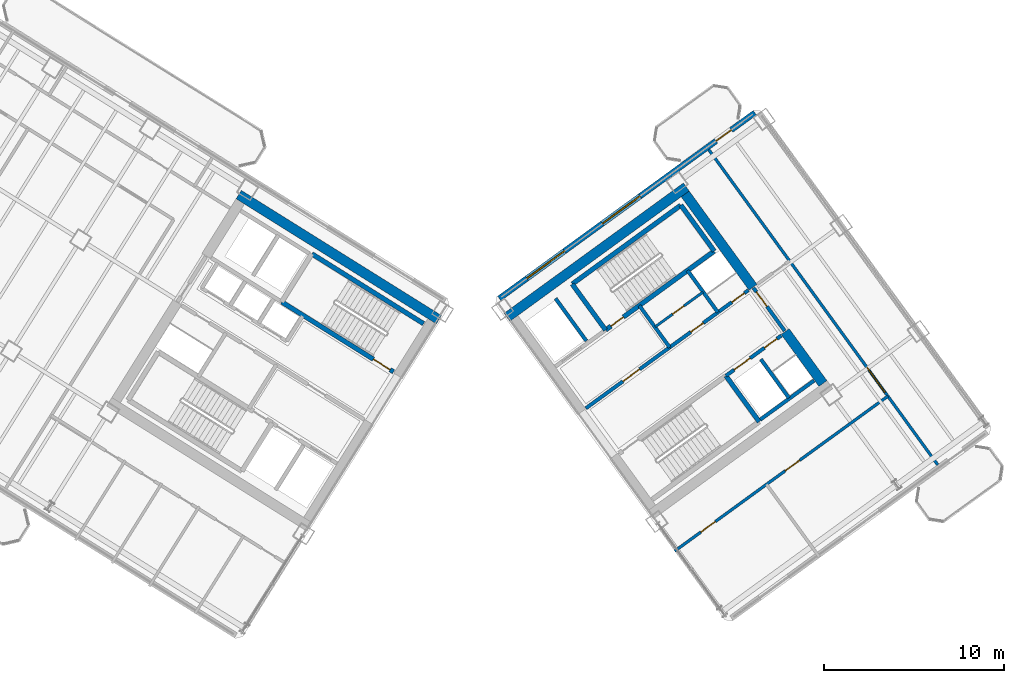
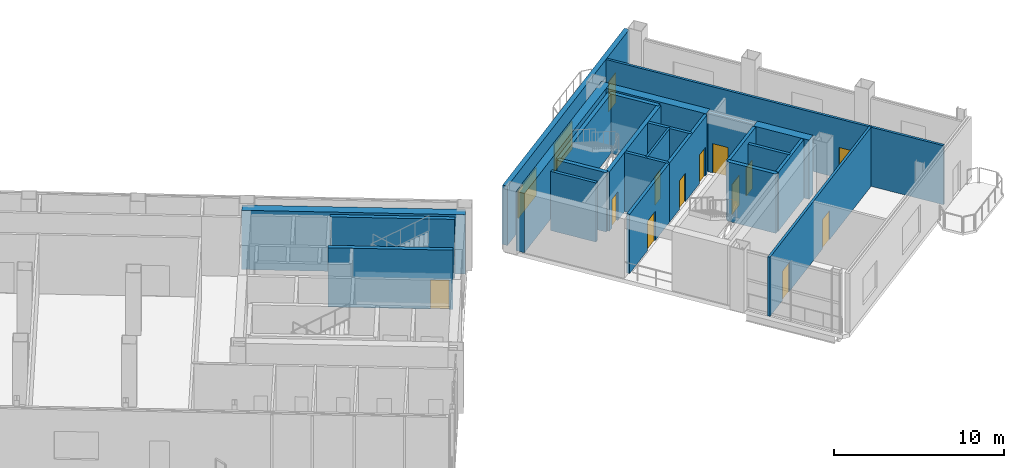
# One storey, part 12 of 18: 24 walls, 13 doors, 2 windows, 15 openings.
"""IFC4 building model written with IfcOpenShell, lengths in metres."""

from ifc_helpers import new_model, si_unit, direction, frame, frame_2d, origin, place, context, subcontext, project, spatial, rectangle, extrude, source, transform, mapped, material, layer, layer_set, type_object, element, fill, save


model = new_model("IFC4")

# Units and contexts
model_context = context("Model", 3, precision=1e-05, world=origin(), true_north=direction((0.0, 1.0)))
body_context = subcontext(model_context, "Body", "Model", "MODEL_VIEW")
ifc_project = project(units=[si_unit("LENGTHUNIT", "METRE"), si_unit("AREAUNIT", "SQUARE_METRE"), si_unit("VOLUMEUNIT", "CUBIC_METRE"), si_unit("PLANEANGLEUNIT", "RADIAN"), si_unit("MASSUNIT", "GRAM", prefix="KILO")], contexts=[model_context])

# Site, building, storey
site_placement = place(None, origin())
site = spatial("IfcSite", under=ifc_project, at=site_placement, CompositionType="ELEMENT")
building_placement = place(site_placement, origin())
building = spatial("IfcBuilding", under=site, at=building_placement, Name="Tlacorven Tower", CompositionType="ELEMENT")
storey_placement = place(building_placement, frame((0.0, 0.0, 136.199951171875)))
storey = spatial("IfcBuildingStorey", under=building, at=storey_placement, Name="L34", CompositionType="ELEMENT", Elevation=136.199951171875)

# Walls
ifc_material_1 = material(Name="Concrete C60/75", Category="concrete")
ifc_layer_1 = layer(ifc_material_1, 0.550048828125)
ifc_layer_set_1 = layer_set([ifc_layer_1], Name="Concrete C60/75")
wall_type_1 = type_object("IfcWallType", Name="WL-COR-550", PredefinedType="SHEAR", material=ifc_layer_set_1)
wall_1_placement = place(storey_placement, frame((40.572998046875, 24.010009765625, 0.0), z_axis=(0.0, 0.0, 1.0), x_axis=(-0.848047359947, 0.529920442413, 0.0)))
element("IfcWall", 1, at=wall_1_placement, inside=storey, type_object=wall_type_1, Name="L34 W core shear wall S1", PredefinedType="SHEAR", context=body_context, shape_type="SweptSolid", body=[
    extrude(rectangle(XDim=13.139892578125, YDim=0.550048828125, at=frame_2d((6.56982421875, 0.0))), origin(), (0.0, 0.0, 1.0), 4.25),
])
wall_2_placement = place(storey_placement, frame((44.364990234375, 24.142333984375, 0.0), z_axis=(0.0, 0.0, 1.0), x_axis=(0.809024304885, 0.587775190107, 0.0)))
element("IfcWall", 2, at=wall_2_placement, inside=storey, type_object=wall_type_1, Name="L34 E core shear wall S2", PredefinedType="SHEAR", context=body_context, shape_type="SweptSolid", body=[
    extrude(rectangle(XDim=12.340087890625, YDim=0.550048828125, at=frame_2d((6.169921875, 0.0))), origin(), (0.0, 0.0, 1.0), 4.25),
])
wall_3_placement = place(storey_placement, frame((61.9580078125, 20.453857421875, 0.0), z_axis=(0.0, 0.0, 1.0), x_axis=(-0.587802113096, 0.809004744015, 0.0)))
element("IfcWall", 3, at=wall_3_placement, inside=storey, type_object=wall_type_1, Name="L34 E core end wall E2.1", PredefinedType="SHEAR", context=body_context, shape_type="SweptSolid", body=[
    extrude(rectangle(XDim=3.574951171875, YDim=0.550048828125, at=frame_2d((1.78759765625, 0.0))), origin(), (0.0, 0.0, 1.0), 4.25),
])
wall_4_placement = place(storey_placement, frame((58.06396484375, 25.8134765625, 0.0), z_axis=(0.0, 0.0, 1.0), x_axis=(-0.587764933797, 0.809031756236, 0.0)))
element("IfcWall", 4, at=wall_4_placement, inside=storey, type_object=wall_type_1, Name="L34 E core end wall E2.2", PredefinedType="SHEAR", context=body_context, shape_type="SweptSolid", body=[
    extrude(rectangle(XDim=6.425048828125, YDim=0.550048828125, at=frame_2d((3.21240234375, 0.0))), origin(), (0.0, 0.0, 1.0), 4.25),
])

# Wall, opening, door
ifc_material_2 = material(Name="Gypsum plasterboard acoustic partition", Category="gypsum")
ifc_layer_2 = layer(ifc_material_2, 0.159912109375)
ifc_layer_set_2 = layer_set([ifc_layer_2], Name="Gypsum plasterboard acoustic partition")
wall_type_2 = type_object("IfcWallType", Name="WL-DEM-160", PredefinedType="PARTITIONING", material=ifc_layer_set_2)
wall_5_placement = place(storey_placement, frame((68.35302734375, 15.922119140625, 0.0), z_axis=(0.0, 0.0, 1.0), x_axis=(-0.587783631512, 0.809018171939, 0.0)))
wall_5 = element("IfcWall", 5, at=wall_5_placement, inside=storey, type_object=wall_type_2, Name="L34 partition 59", PredefinedType="PARTITIONING", context=body_context, shape_type="SweptSolid", body=[
    extrude(rectangle(XDim=21.699951171875, YDim=0.159912109375, at=frame_2d((10.85009765625, 0.0))), origin(), (0.0, 0.0, 1.0), 4.239990234375),
])
opening_1_placement = place(wall_5_placement, frame((5.0, 0.0, 0.0)))
opening_1 = element("IfcOpeningElement", 6, at=opening_1_placement, cuts=wall_5, Name="Opening D17", PredefinedType="OPENING", context=body_context, shape_type="SweptSolid", body=[
    extrude(rectangle(XDim=1.699951171875, YDim=2.199951171875, at=frame_2d((0.85009765625, 1.10009765625))), frame((0.0, 0.08984375, 0.0), z_axis=(0.0, -1.0, 0.0), x_axis=(1.0, 0.0, 0.0)), (0.0, 0.0, 1.0), 0.179931640625),
])
ifc_material_3 = material(Name="Fire-rated steel door assembly", Category="steel")
door_type_1 = type_object("IfcDoorType", Name="DR-COM-HALL-1700", OperationType="DOUBLE_DOOR_SINGLE_SWING", PredefinedType="DOOR", material=ifc_material_3)
shared_shape_1 = source(origin(), body_context, "Body", "SweptSolid", [
    extrude(rectangle(XDim=1.699951171875, YDim=2.199951171875, at=frame_2d((0.85009765625, 1.10009765625))), frame((0.0, 0.02490234375, 0.0), z_axis=(0.0, -1.0, 0.0), x_axis=(1.0, 0.0, 0.0)), (0.0, 0.0, 1.0), 0.050048828125),
])
door_1_placement = place(opening_1_placement, origin())
door_1 = element("IfcDoor", 7, at=door_1_placement, inside=storey, type_object=door_type_1, Name="L34 door 033", OperationType="DOUBLE_DOOR_SINGLE_SWING", OverallHeight=2.199951171875, OverallWidth=1.699951171875, PredefinedType="DOOR", context=body_context, shape_type="MappedRepresentation", body=[
    mapped(shared_shape_1, transform((0.0, 0.0, 0.0), scale=1.0)),
])
fill(opening_1, door_1)

# Wall, openings, doors
wall_6_placement = place(storey_placement, frame((53.70458984375, 11.1259765625, 0.0), z_axis=(0.0, 0.0, 1.0), x_axis=(0.809014504436, 0.587788679384, 0.0)))
wall_6 = element("IfcWall", 8, at=wall_6_placement, inside=storey, type_object=wall_type_2, Name="L34 partition 62", PredefinedType="PARTITIONING", context=body_context, shape_type="SweptSolid", body=[
    extrude(rectangle(XDim=14.669921875, YDim=0.159912109375, at=frame_2d((7.3349609375, 0.0))), origin(), (0.0, 0.0, 1.0), 4.239990234375),
])
opening_2_placement = place(wall_6_placement, frame((1.800048828125, 0.0, 0.0)))
opening_2 = element("IfcOpeningElement", 9, at=opening_2_placement, cuts=wall_6, Name="Opening D11", PredefinedType="OPENING", context=body_context, shape_type="SweptSolid", body=[
    extrude(rectangle(XDim=1.0, YDim=2.10009765625, at=frame_2d((0.5, 1.050048828125))), frame((0.0, 0.08984375, 0.0), z_axis=(0.0, -1.0, 0.0), x_axis=(1.0, 0.0, 0.0)), (0.0, 0.0, 1.0), 0.179931640625),
])
opening_3_placement = place(wall_6_placement, frame((7.60009765625, 0.0, 0.0)))
opening_3 = element("IfcOpeningElement", 10, at=opening_3_placement, cuts=wall_6, Name="Opening D11", PredefinedType="OPENING", context=body_context, shape_type="SweptSolid", body=[
    extrude(rectangle(XDim=1.0, YDim=2.10009765625, at=frame_2d((0.5, 1.050048828125))), frame((0.0, 0.08984375, 0.0), z_axis=(0.0, -1.0, 0.0), x_axis=(1.0, 0.0, 0.0)), (0.0, 0.0, 1.0), 0.179931640625),
])
door_type_2 = type_object("IfcDoorType", Name="DR-FLT-FD60-1000", OperationType="NOTDEFINED", PredefinedType="DOOR", material=ifc_material_3)
shared_shape_2 = source(origin(), body_context, "Body", "SweptSolid", [
    extrude(rectangle(XDim=1.0, YDim=2.10009765625, at=frame_2d((0.5, 1.050048828125))), frame((0.0, 0.02490234375, 0.0), z_axis=(0.0, -1.0, 0.0), x_axis=(1.0, 0.0, 0.0)), (0.0, 0.0, 1.0), 0.050048828125),
])
door_2_placement = place(opening_2_placement, origin())
door_2 = element("IfcDoor", 11, at=door_2_placement, inside=storey, type_object=door_type_2, Name="L34 door 034", OperationType="SINGLE_SWING_RIGHT", OverallHeight=2.10009765625, OverallWidth=1.0, PredefinedType="DOOR", context=body_context, shape_type="MappedRepresentation", body=[
    mapped(shared_shape_2, transform((0.0, 0.0, 0.0), scale=1.0)),
])
fill(opening_2, door_2)
door_3_placement = place(opening_3_placement, origin())
door_3 = element("IfcDoor", 12, at=door_3_placement, inside=storey, type_object=door_type_2, Name="L34 door 035", OperationType="SINGLE_SWING_LEFT", OverallHeight=2.10009765625, OverallWidth=1.0, PredefinedType="DOOR", context=body_context, shape_type="MappedRepresentation", body=[
    mapped(shared_shape_2, transform((0.0, 0.0, 0.0), scale=1.0)),
])
fill(opening_3, door_3)

# Wall, openings, door, windows
ifc_material_4 = material(Name="Precast concrete C45/55", Category="concrete")
ifc_layer_3 = layer(ifc_material_4, 0.320068359375)
ifc_layer_set_3 = layer_set([ifc_layer_3], Name="Precast concrete C45/55")
wall_type_3 = type_object("IfcWallType", Name="WL-EXT-320", PredefinedType="STANDARD", material=ifc_layer_set_3)
wall_7_placement = place(storey_placement, frame((43.93798828125, 25.191650390625, 0.0), z_axis=(0.0, 0.0, 1.0), x_axis=(0.809016324578, 0.587786174187, 0.0)))
wall_7 = element("IfcWall", 13, at=wall_7_placement, inside=storey, type_object=wall_type_3, Name="L34 Masonry-Frame Recessed Facade Wall 4", PredefinedType="STANDARD", context=body_context, shape_type="SweptSolid", body=[
    extrude(rectangle(XDim=17.58740234375, YDim=0.320068359375, at=frame_2d((8.793701171875, 0.0))), origin(), (0.0, 0.0, 1.0), 4.25),
])
opening_4_placement = place(wall_7_placement, frame((14.913818359375, 0.0, 0.0)))
opening_4 = element("IfcOpeningElement", 14, at=opening_4_placement, cuts=wall_7, Name="Opening D06", PredefinedType="OPENING", context=body_context, shape_type="SweptSolid", body=[
    extrude(rectangle(XDim=1.050048828125, YDim=2.14990234375, at=frame_2d((0.52490234375, 1.074951171875))), frame((0.0, 0.169921875, 0.0), z_axis=(0.0, -1.0, 0.0), x_axis=(1.0, 0.0, 0.0)), (0.0, 0.0, 1.0), 0.340087890625),
])
opening_5_placement = place(wall_7_placement, frame((1.893798828125, 0.0, 0.699951171875)))
opening_5 = element("IfcOpeningElement", 15, at=opening_5_placement, cuts=wall_7, Name="Opening WN10", PredefinedType="OPENING", context=body_context, shape_type="SweptSolid", body=[
    extrude(rectangle(XDim=2.60009765625, YDim=2.0, at=frame_2d((1.300048828125, 1.0))), frame((0.0, 0.169921875, 0.0), z_axis=(0.0, -1.0, 0.0), x_axis=(1.0, 0.0, 0.0)), (0.0, 0.0, 1.0), 0.340087890625),
])
opening_6_placement = place(wall_7_placement, frame((7.09375, 0.0, 0.699951171875)))
opening_6 = element("IfcOpeningElement", 16, at=opening_6_placement, cuts=wall_7, Name="Opening WN10", PredefinedType="OPENING", context=body_context, shape_type="SweptSolid", body=[
    extrude(rectangle(XDim=2.60009765625, YDim=2.0, at=frame_2d((1.300048828125, 1.0))), frame((0.0, 0.169921875, 0.0), z_axis=(0.0, -1.0, 0.0), x_axis=(1.0, 0.0, 0.0)), (0.0, 0.0, 1.0), 0.340087890625),
])
ifc_material_5 = material(Name="Powder-coated aluminium and timber door", Category="wood")
door_type_3 = type_object("IfcDoorType", Name="DR-EXT-BALC-1050", OperationType="NOTDEFINED", PredefinedType="DOOR", material=ifc_material_5)
shared_shape_3 = source(origin(), body_context, "Body", "SweptSolid", [
    extrude(rectangle(XDim=1.050048828125, YDim=2.14990234375, at=frame_2d((0.52490234375, 1.074951171875))), frame((0.0, 0.02490234375, 0.0), z_axis=(0.0, -1.0, 0.0), x_axis=(1.0, 0.0, 0.0)), (0.0, 0.0, 1.0), 0.050048828125),
])
door_4_placement = place(opening_4_placement, origin())
door_4 = element("IfcDoor", 17, at=door_4_placement, inside=storey, type_object=door_type_3, Name="L34 Outdoor Access Door BAL-L34-E-IN", OperationType="SINGLE_SWING_RIGHT", OverallHeight=2.14990234375, OverallWidth=1.050048828125, PredefinedType="DOOR", context=body_context, shape_type="MappedRepresentation", body=[
    mapped(shared_shape_3, transform((0.0, 0.0, 0.0), scale=1.0)),
])
fill(opening_4, door_4)
ifc_material_6 = material(Name="Dark solar low-E double glazing in anodised aluminium frame", Category="aluminium")
window_type = type_object("IfcWindowType", Name="WN-COM-2600X2200", PartitioningType="SINGLE_PANEL", PredefinedType="WINDOW", material=ifc_material_6)
shared_shape_4 = source(origin(), body_context, "Body", "SweptSolid", [
    extrude(rectangle(XDim=2.60009765625, YDim=2.0, at=frame_2d((1.300048828125, 1.0))), frame((0.0, 0.030029296875, 0.0), z_axis=(0.0, -1.0, 0.0), x_axis=(1.0, 0.0, 0.0)), (0.0, 0.0, 1.0), 0.06005859375),
])
window_1_placement = place(opening_5_placement, origin())
window_1 = element("IfcWindow", 18, at=window_1_placement, inside=storey, type_object=window_type, Name="L34 Recessed Masonry-Frame Window L34-04.1", OverallHeight=2.0, OverallWidth=2.60009765625, PartitioningType="SINGLE_PANEL", PredefinedType="WINDOW", context=body_context, shape_type="MappedRepresentation", body=[
    mapped(shared_shape_4, transform((0.0, 0.0, 0.0), scale=1.0)),
])
fill(opening_5, window_1)
window_2_placement = place(opening_6_placement, origin())
window_2 = element("IfcWindow", 19, at=window_2_placement, inside=storey, type_object=window_type, Name="L34 Recessed Masonry-Frame Window L34-04.2", OverallHeight=2.0, OverallWidth=2.60009765625, PartitioningType="SINGLE_PANEL", PredefinedType="WINDOW", context=body_context, shape_type="MappedRepresentation", body=[
    mapped(shared_shape_4, transform((0.0, 0.0, 0.0), scale=1.0)),
])
fill(opening_6, window_2)

# Wall, opening, door
ifc_material_7 = material(Name="Moisture-resistant gypsum plumbing wall", Category="gypsum")
ifc_layer_4 = layer(ifc_material_7, 0.139892578125)
ifc_layer_set_4 = layer_set([ifc_layer_4], Name="Moisture-resistant gypsum plumbing wall")
wall_type_4 = type_object("IfcWallType", Name="WL-PLM-140", PredefinedType="PLUMBINGWALL", material=ifc_layer_set_4)
wall_8_placement = place(storey_placement, frame((52.617919921875, 23.612060546875, 0.0), z_axis=(0.0, 0.0, 1.0), x_axis=(0.809009587469, 0.587795446889, 0.0)))
wall_8 = element("IfcWall", 20, at=wall_8_placement, inside=storey, type_object=wall_type_4, Name="L34 partition 41", PredefinedType="PLUMBINGWALL", context=body_context, shape_type="SweptSolid", body=[
    extrude(rectangle(XDim=3.280029296875, YDim=0.139892578125, at=frame_2d((1.64013671875, 0.0))), origin(), (0.0, 0.0, 1.0), 4.239990234375),
])
opening_7_placement = place(wall_8_placement, frame((1.199951171875, 0.0, 0.0)))
opening_7 = element("IfcOpeningElement", 21, at=opening_7_placement, cuts=wall_8, Name="Opening D22", PredefinedType="OPENING", context=body_context, shape_type="SweptSolid", body=[
    extrude(rectangle(XDim=0.780029296875, YDim=2.050048828125, at=frame_2d((0.39013671875, 1.02490234375))), frame((0.0, 0.080078125, 0.0), z_axis=(0.0, -1.0, 0.0), x_axis=(1.0, 0.0, 0.0)), (0.0, 0.0, 1.0), 0.159912109375),
])
door_type_4 = type_object("IfcDoorType", Name="DR-INT-WET-0780", OperationType="NOTDEFINED", PredefinedType="DOOR", material=ifc_material_5)
shared_shape_5 = source(origin(), body_context, "Body", "SweptSolid", [
    extrude(rectangle(XDim=0.780029296875, YDim=2.050048828125, at=frame_2d((0.39013671875, 1.02490234375))), frame((0.0, 0.02490234375, 0.0), z_axis=(0.0, -1.0, 0.0), x_axis=(1.0, 0.0, 0.0)), (0.0, 0.0, 1.0), 0.050048828125),
])
door_5_placement = place(opening_7_placement, origin())
door_5 = element("IfcDoor", 22, at=door_5_placement, inside=storey, type_object=door_type_4, Name="L34 door 019", OperationType="SINGLE_SWING_LEFT", OverallHeight=2.050048828125, OverallWidth=0.780029296875, PredefinedType="DOOR", context=body_context, shape_type="MappedRepresentation", body=[
    mapped(shared_shape_5, transform((0.0, 0.0, 0.0), scale=1.0)),
])
fill(opening_7, door_5)

ifc_material_8 = material(Name="Concrete C40/50", Category="concrete")
ifc_layer_5 = layer(ifc_material_8, 0.199951171875)
ifc_layer_set_5 = layer_set([ifc_layer_5], Name="Concrete C40/50")
wall_type_5 = type_object("IfcWallType", Name="WL-SHF-200", PredefinedType="STANDARD", material=ifc_layer_set_5)
wall_9_placement = place(storey_placement, frame((48.75830078125, 19.0771484375, 0.0), z_axis=(0.0, 0.0, 1.0), x_axis=(0.809005065155, 0.587801671104, 0.0)))
wall_9 = element("IfcWall", 23, at=wall_9_placement, inside=storey, type_object=wall_type_5, Name="L34 Core E Smoke Lobby Wall", PredefinedType="STANDARD", context=body_context, shape_type="SweptSolid", body=[
    extrude(rectangle(XDim=5.767822265625, YDim=0.199951171875, at=frame_2d((2.8837890625, 0.0))), origin(), (0.0, 0.0, 1.0), 4.239990234375),
])
opening_8_placement = place(wall_9_placement, frame((2.548095703125, 0.0, 0.0)))
opening_8 = element("IfcOpeningElement", 24, at=opening_8_placement, cuts=wall_9, Name="Opening D09", PredefinedType="OPENING", context=body_context, shape_type="SweptSolid", body=[
    extrude(rectangle(XDim=1.14990234375, YDim=2.10009765625, at=frame_2d((0.574951171875, 1.050048828125))), frame((0.0, 0.10986328125, 0.0), z_axis=(0.0, -1.0, 0.0), x_axis=(1.0, 0.0, 0.0)), (0.0, 0.0, 1.0), 0.219970703125),
])
door_type_5 = type_object("IfcDoorType", Name="DR-FFL-FD60-1150", OperationType="NOTDEFINED", PredefinedType="DOOR", material=ifc_material_3)
shared_shape_6 = source(origin(), body_context, "Body", "SweptSolid", [
    extrude(rectangle(XDim=1.14990234375, YDim=2.10009765625, at=frame_2d((0.574951171875, 1.050048828125))), frame((0.0, 0.02490234375, 0.0), z_axis=(0.0, -1.0, 0.0), x_axis=(1.0, 0.0, 0.0)), (0.0, 0.0, 1.0), 0.050048828125),
])
door_6_placement = place(opening_8_placement, origin())
door_6 = element("IfcDoor", 25, at=door_6_placement, inside=storey, type_object=door_type_5, Name="L34 Firefighting Lobby E Fire Door", OperationType="SINGLE_SWING_LEFT", OverallHeight=2.10009765625, OverallWidth=1.14990234375, PredefinedType="DOOR", context=body_context, shape_type="MappedRepresentation", body=[
    mapped(shared_shape_6, transform((0.0, 0.0, 0.0), scale=1.0)),
])
fill(opening_8, door_6)

# Wall, openings, doors
wall_10_placement = place(storey_placement, frame((56.552978515625, 20.884033203125, 0.0), z_axis=(0.0, 0.0, 1.0), x_axis=(0.809023564264, 0.58777620951, 0.0)))
wall_10 = element("IfcWall", 26, at=wall_10_placement, inside=storey, type_object=wall_type_5, Name="L34 Core E South Lift Shaft Wall", PredefinedType="STANDARD", context=body_context, shape_type="SweptSolid", body=[
    extrude(rectangle(XDim=3.818115234375, YDim=0.199951171875, at=frame_2d((1.9091796875, 0.0))), origin(), (0.0, 0.0, 1.0), 4.239990234375),
])
opening_9_placement = place(wall_10_placement, frame((0.570068359375, 0.0, 0.0)))
opening_9 = element("IfcOpeningElement", 27, at=opening_9_placement, cuts=wall_10, Name="Opening LD01", PredefinedType="OPENING", context=body_context, shape_type="SweptSolid", body=[
    extrude(rectangle(XDim=1.10009765625, YDim=2.14990234375, at=frame_2d((0.550048828125, 1.074951171875))), frame((0.0, 0.10986328125, 0.0), z_axis=(0.0, -1.0, 0.0), x_axis=(1.0, 0.0, 0.0)), (0.0, 0.0, 1.0), 0.219970703125),
])
opening_10_placement = place(wall_10_placement, frame((2.64990234375, 0.0, 0.0)))
opening_10 = element("IfcOpeningElement", 28, at=opening_10_placement, cuts=wall_10, Name="Opening D19", PredefinedType="OPENING", context=body_context, shape_type="SweptSolid", body=[
    extrude(rectangle(XDim=0.860107421875, YDim=2.050048828125, at=frame_2d((0.43017578125, 1.02490234375))), frame((0.0, 0.10986328125, 0.0), z_axis=(0.0, -1.0, 0.0), x_axis=(1.0, 0.0, 0.0)), (0.0, 0.0, 1.0), 0.219970703125),
])
door_type_6 = type_object("IfcDoorType", Name="DR-RSR-FD60-0860", OperationType="NOTDEFINED", PredefinedType="DOOR", material=ifc_material_3)
shared_shape_7 = source(origin(), body_context, "Body", "SweptSolid", [
    extrude(rectangle(XDim=0.860107421875, YDim=2.050048828125, at=frame_2d((0.43017578125, 1.02490234375))), frame((0.0, 0.02490234375, 0.0), z_axis=(0.0, -1.0, 0.0), x_axis=(1.0, 0.0, 0.0)), (0.0, 0.0, 1.0), 0.050048828125),
])
door_7_placement = place(opening_10_placement, origin())
door_7 = element("IfcDoor", 29, at=door_7_placement, inside=storey, type_object=door_type_6, Name="L34 Smoke Extract Riser Access Door", OperationType="SINGLE_SWING_RIGHT", OverallHeight=2.050048828125, OverallWidth=0.860107421875, PredefinedType="DOOR", context=body_context, shape_type="MappedRepresentation", body=[
    mapped(shared_shape_7, transform((0.0, 0.0, 0.0), scale=1.0)),
])
fill(opening_10, door_7)
door_type_7 = type_object("IfcDoorType", Name="DR-LFT-SLID-1100", OperationType="DOUBLE_DOOR_SLIDING", PredefinedType="DOOR", material=ifc_material_3)
shared_shape_8 = source(origin(), body_context, "Body", "SweptSolid", [
    extrude(rectangle(XDim=1.10009765625, YDim=2.14990234375, at=frame_2d((0.550048828125, 1.074951171875))), frame((0.0, 0.02490234375, 0.0), z_axis=(0.0, -1.0, 0.0), x_axis=(1.0, 0.0, 0.0)), (0.0, 0.0, 1.0), 0.050048828125),
])
door_8_placement = place(opening_9_placement, origin())
door_8 = element("IfcDoor", 30, at=door_8_placement, inside=storey, type_object=door_type_7, Name="L34 Lift PL-M4 Sliding Landing Door", OperationType="DOUBLE_DOOR_SLIDING", OverallHeight=2.14990234375, OverallWidth=1.10009765625, PredefinedType="DOOR", context=body_context, shape_type="MappedRepresentation", body=[
    mapped(shared_shape_8, transform((0.0, 0.0, 0.0), scale=1.0)),
])
fill(opening_9, door_8)

# Walls
wall_11_placement = place(storey_placement, frame((48.78564453125, 22.830078125, 0.0), z_axis=(0.0, 0.0, 1.0), x_axis=(-0.587783856777, 0.809018008275, 0.0)))
element("IfcWall", 31, at=wall_11_placement, inside=storey, type_object=wall_type_5, Name="L34 partition 33", PredefinedType="STANDARD", context=body_context, shape_type="SweptSolid", body=[
    extrude(rectangle(XDim=2.919921875, YDim=0.199951171875, at=frame_2d((1.4599609375, 0.0))), origin(), (0.0, 0.0, 1.0), 4.239990234375),
])
wall_12_placement = place(storey_placement, frame((60.066650390625, 19.654541015625, 0.0), z_axis=(0.0, 0.0, 1.0), x_axis=(-0.587800520745, 0.809005900975, 0.0)))
element("IfcWall", 32, at=wall_12_placement, inside=storey, type_object=wall_type_5, Name="L34 partition 34", PredefinedType="STANDARD", context=body_context, shape_type="SweptSolid", body=[
    extrude(rectangle(XDim=2.659912109375, YDim=0.199951171875, at=frame_2d((1.330078125, 0.0))), origin(), (0.0, 0.0, 1.0), 4.239990234375),
])
wall_13_placement = place(storey_placement, frame((58.47216796875, 18.446533203125, 0.0), z_axis=(0.0, 0.0, 1.0), x_axis=(0.809018631237, 0.587782999339, 0.0)))
element("IfcWall", 33, at=wall_13_placement, inside=storey, type_object=wall_type_5, Name="L34 partition 36", PredefinedType="STANDARD", context=body_context, shape_type="SweptSolid", body=[
    extrude(rectangle(XDim=3.697998046875, YDim=0.199951171875, at=frame_2d((1.84912109375, 0.0))), origin(), (0.0, 0.0, 1.0), 4.239990234375),
])
wall_14_placement = place(storey_placement, frame((53.424560546875, 22.467529296875, 0.0), z_axis=(0.0, 0.0, 1.0), x_axis=(-0.5877230039, 0.809062216821, 0.0)))
element("IfcWall", 34, at=wall_14_placement, inside=storey, type_object=wall_type_5, Name="L34 partition 38", PredefinedType="STANDARD", context=body_context, shape_type="SweptSolid", body=[
    extrude(rectangle(XDim=2.8798828125, YDim=0.199951171875, at=frame_2d((1.43994140625, 0.0))), origin(), (0.0, 0.0, 1.0), 4.239990234375),
])
wall_15_placement = place(storey_placement, frame((56.110595703125, 24.4189453125, 0.0), z_axis=(0.0, 0.0, 1.0), x_axis=(-0.58777848983, 0.809021907548, 0.0)))
element("IfcWall", 35, at=wall_15_placement, inside=storey, type_object=wall_type_5, Name="L34 partition 39", PredefinedType="STANDARD", context=body_context, shape_type="SweptSolid", body=[
    extrude(rectangle(XDim=2.880126953125, YDim=0.199951171875, at=frame_2d((1.43994140625, 0.0))), origin(), (0.0, 0.0, 1.0), 4.239990234375),
])

# Wall, openings, doors
wall_16_placement = place(storey_placement, frame((53.424560546875, 22.467529296875, 0.0), z_axis=(0.0, 0.0, 1.0), x_axis=(0.809024377198, 0.587775090574, 0.0)))
wall_16 = element("IfcWall", 36, at=wall_16_placement, inside=storey, type_object=wall_type_5, Name="L34 Core E North Service Wall", PredefinedType="STANDARD", context=body_context, shape_type="SweptSolid", body=[
    extrude(rectangle(XDim=5.41796875, YDim=0.199951171875, at=frame_2d((2.708984375, 0.0))), origin(), (0.0, 0.0, 1.0), 4.239990234375),
])
opening_11_placement = place(wall_16_placement, frame((4.280029296875, 0.0, 0.0)))
opening_11 = element("IfcOpeningElement", 37, at=opening_11_placement, cuts=wall_16, Name="Opening D19", PredefinedType="OPENING", context=body_context, shape_type="SweptSolid", body=[
    extrude(rectangle(XDim=0.860107421875, YDim=2.050048828125, at=frame_2d((0.43017578125, 1.02490234375))), frame((0.0, 0.10986328125, 0.0), z_axis=(0.0, -1.0, 0.0), x_axis=(1.0, 0.0, 0.0)), (0.0, 0.0, 1.0), 0.219970703125),
])
opening_12_placement = place(wall_16_placement, frame((1.449951171875, 0.0, 0.0)))
opening_12 = element("IfcOpeningElement", 38, at=opening_12_placement, cuts=wall_16, Name="Opening D19", PredefinedType="OPENING", context=body_context, shape_type="SweptSolid", body=[
    extrude(rectangle(XDim=0.860107421875, YDim=2.050048828125, at=frame_2d((0.43017578125, 1.02490234375))), frame((0.0, 0.10986328125, 0.0), z_axis=(0.0, -1.0, 0.0), x_axis=(1.0, 0.0, 0.0)), (0.0, 0.0, 1.0), 0.219970703125),
])
door_9_placement = place(opening_11_placement, frame((0.860107421875, 0.0, 0.0), z_axis=(0.0, 0.0, 1.0), x_axis=(-1.0, 0.0, 0.0)))
door_9 = element("IfcDoor", 39, at=door_9_placement, inside=storey, type_object=door_type_6, Name="L34 Electrical Riser Access Door E", OperationType="SINGLE_SWING_LEFT", OverallHeight=2.050048828125, OverallWidth=0.860107421875, PredefinedType="DOOR", context=body_context, shape_type="MappedRepresentation", body=[
    mapped(shared_shape_7, transform((0.0, 0.0, 0.0), scale=1.0)),
])
fill(opening_11, door_9)
door_10_placement = place(opening_12_placement, frame((0.860107421875, 0.0, 0.0), z_axis=(0.0, 0.0, 1.0), x_axis=(-1.0, 0.0, 0.0)))
door_10 = element("IfcDoor", 40, at=door_10_placement, inside=storey, type_object=door_type_6, Name="L34 Cleaner Store Access Door E", OperationType="SINGLE_SWING_RIGHT", OverallHeight=2.050048828125, OverallWidth=0.860107421875, PredefinedType="DOOR", context=body_context, shape_type="MappedRepresentation", body=[
    mapped(shared_shape_7, transform((0.0, 0.0, 0.0), scale=1.0)),
])
fill(opening_12, door_10)

# Wall, opening, door
wall_17_placement = place(storey_placement, frame((59.827392578125, 23.386474609375, 0.0), z_axis=(0.0, 0.0, 1.0), x_axis=(-0.587803840107, 0.809003489211, 0.0)))
wall_17 = element("IfcWall", 41, at=wall_17_placement, inside=storey, type_object=wall_type_5, Name="L34 partition 58", PredefinedType="STANDARD", context=body_context, shape_type="SweptSolid", body=[
    extrude(rectangle(XDim=2.960205078125, YDim=0.199951171875, at=frame_2d((1.47998046875, 0.0))), origin(), (0.0, 0.0, 1.0), 4.239990234375),
])
opening_13_placement = place(wall_17_placement, frame((1.679931640625, 0.0, 0.0)))
opening_13 = element("IfcOpeningElement", 42, at=opening_13_placement, cuts=wall_17, Name="Opening D11", PredefinedType="OPENING", context=body_context, shape_type="SweptSolid", body=[
    extrude(rectangle(XDim=1.0, YDim=2.10009765625, at=frame_2d((0.5, 1.050048828125))), frame((0.0, 0.10986328125, 0.0), z_axis=(0.0, -1.0, 0.0), x_axis=(1.0, 0.0, 0.0)), (0.0, 0.0, 1.0), 0.219970703125),
])
door_11_placement = place(opening_13_placement, origin())
door_11 = element("IfcDoor", 43, at=door_11_placement, inside=storey, type_object=door_type_2, Name="L34 door 032", OperationType="SINGLE_SWING_LEFT", OverallHeight=2.10009765625, OverallWidth=1.0, PredefinedType="DOOR", context=body_context, shape_type="MappedRepresentation", body=[
    mapped(shared_shape_2, transform((0.0, 0.0, 0.0), scale=1.0)),
])
fill(opening_13, door_11)

# Wall
ifc_material_9 = material(Name="Concrete C50/60", Category="concrete")
ifc_layer_6 = layer(ifc_material_9, 0.260009765625)
ifc_layer_set_6 = layer_set([ifc_layer_6], Name="Concrete C50/60")
wall_type_6 = type_object("IfcWallType", Name="WL-STW-260", PredefinedType="SHEAR", material=ifc_layer_set_6)
wall_18_placement = place(storey_placement, frame((39.720947265625, 23.787841796875, 0.0), z_axis=(0.0, 0.0, 1.0), x_axis=(-0.848054434086, 0.529909121291, 0.0)))
element("IfcWall", 44, at=wall_18_placement, inside=storey, type_object=wall_type_6, Name="L34 Stair W2 Far Shear Wall", PredefinedType="SHEAR", context=body_context, shape_type="SweptSolid", body=[
    extrude(rectangle(XDim=7.330078125, YDim=0.260009765625, at=frame_2d((3.6650390625, 0.0))), origin(), (0.0, 0.0, 1.0), 4.25),
])

# Wall, opening, door
wall_19_placement = place(storey_placement, frame((38.04638671875, 21.10791015625, 0.0), z_axis=(0.0, 0.0, 1.0), x_axis=(-0.848054434086, 0.529909121291, 0.0)))
wall_19 = element("IfcWall", 45, at=wall_19_placement, inside=storey, type_object=wall_type_6, Name="L34 Stair W2 Lobby Shear Wall", PredefinedType="SHEAR", context=body_context, shape_type="SweptSolid", body=[
    extrude(rectangle(XDim=7.330078125, YDim=0.260009765625, at=frame_2d((3.6650390625, 0.0))), origin(), (0.0, 0.0, 1.0), 4.25),
])
opening_14_placement = place(wall_19_placement, frame((0.219970703125, 0.0, 0.0)))
opening_14 = element("IfcOpeningElement", 46, at=opening_14_placement, cuts=wall_19, Name="Opening D07", PredefinedType="OPENING", context=body_context, shape_type="SweptSolid", body=[
    extrude(rectangle(XDim=1.10009765625, YDim=2.10009765625, at=frame_2d((0.550048828125, 1.050048828125))), frame((0.0, 0.14013671875, 0.0), z_axis=(0.0, -1.0, 0.0), x_axis=(1.0, 0.0, 0.0)), (0.0, 0.0, 1.0), 0.280029296875),
])
door_type_8 = type_object("IfcDoorType", Name="DR-STR-FD90-1100", OperationType="NOTDEFINED", PredefinedType="DOOR", material=ifc_material_3)
shared_shape_9 = source(origin(), body_context, "Body", "SweptSolid", [
    extrude(rectangle(XDim=1.10009765625, YDim=2.10009765625, at=frame_2d((0.550048828125, 1.050048828125))), frame((0.0, 0.02490234375, 0.0), z_axis=(0.0, -1.0, 0.0), x_axis=(1.0, 0.0, 0.0)), (0.0, 0.0, 1.0), 0.050048828125),
])
door_12_placement = place(opening_14_placement, origin())
door_12 = element("IfcDoor", 47, at=door_12_placement, inside=storey, type_object=door_type_8, Name="L34 Exit Stair W2 Fire Door", OperationType="SINGLE_SWING_LEFT", OverallHeight=2.10009765625, OverallWidth=1.10009765625, PredefinedType="DOOR", context=body_context, shape_type="MappedRepresentation", body=[
    mapped(shared_shape_9, transform((0.0, 0.0, 0.0), scale=1.0)),
])
fill(opening_14, door_12)

# Wall
wall_20_placement = place(storey_placement, frame((48.005615234375, 25.996337890625, 0.0), z_axis=(0.0, 0.0, 1.0), x_axis=(0.80901903764, 0.587782439969, 0.0)))
element("IfcWall", 48, at=wall_20_placement, inside=storey, type_object=wall_type_6, Name="L34 Stair E1 Far Shear Wall", PredefinedType="SHEAR", context=body_context, shape_type="SweptSolid", body=[
    extrude(rectangle(XDim=7.4599609375, YDim=0.260009765625, at=frame_2d((3.72998046875, 0.0))), origin(), (0.0, 0.0, 1.0), 4.25),
])

# Wall, opening, door
wall_21_placement = place(storey_placement, frame((49.863037109375, 23.439697265625, 0.0), z_axis=(0.0, 0.0, 1.0), x_axis=(0.809003474932, 0.587803859759, 0.0)))
wall_21 = element("IfcWall", 49, at=wall_21_placement, inside=storey, type_object=wall_type_6, Name="L34 Stair E1 Lobby Shear Wall", PredefinedType="SHEAR", context=body_context, shape_type="SweptSolid", body=[
    extrude(rectangle(XDim=7.4599609375, YDim=0.260009765625, at=frame_2d((3.72998046875, 0.0))), origin(), (0.0, 0.0, 1.0), 4.25),
])
opening_15_placement = place(wall_21_placement, frame((0.360107421875, 0.0, 0.0)))
opening_15 = element("IfcOpeningElement", 50, at=opening_15_placement, cuts=wall_21, Name="Opening D19", PredefinedType="OPENING", context=body_context, shape_type="SweptSolid", body=[
    extrude(rectangle(XDim=0.860107421875, YDim=2.050048828125, at=frame_2d((0.43017578125, 1.02490234375))), frame((0.0, 0.14013671875, 0.0), z_axis=(0.0, -1.0, 0.0), x_axis=(1.0, 0.0, 0.0)), (0.0, 0.0, 1.0), 0.280029296875),
])
door_13_placement = place(opening_15_placement, frame((0.860107421875, 0.0, 0.0), z_axis=(0.0, 0.0, 1.0), x_axis=(-1.0, 0.0, 0.0)))
door_13 = element("IfcDoor", 51, at=door_13_placement, inside=storey, type_object=door_type_6, Name="L34 Exit Stair E1 Fire Door", OperationType="SINGLE_SWING_LEFT", OverallHeight=2.050048828125, OverallWidth=0.860107421875, PredefinedType="DOOR", context=body_context, shape_type="MappedRepresentation", body=[
    mapped(shared_shape_7, transform((0.0, 0.0, 0.0), scale=1.0)),
])
fill(opening_15, door_13)

# Walls
wall_22_placement = place(storey_placement, frame((49.85498046875, 23.433837890625, 0.0), z_axis=(0.0, 0.0, 1.0), x_axis=(-0.58776738483, 0.809029975545, 0.0)))
element("IfcWall", 52, at=wall_22_placement, inside=storey, type_object=wall_type_6, Name="L34 Stair E1 West Shear Wall", PredefinedType="SHEAR", context=body_context, shape_type="SweptSolid", body=[
    extrude(rectangle(XDim=3.16015625, YDim=0.260009765625, at=frame_2d((1.580078125, 0.0))), origin(), (0.0, 0.0, 1.0), 4.25),
])
wall_23_placement = place(storey_placement, frame((55.906494140625, 27.83056640625, 0.0), z_axis=(0.0, 0.0, 1.0), x_axis=(-0.587804123638, 0.809003283204, 0.0)))
element("IfcWall", 53, at=wall_23_placement, inside=storey, type_object=wall_type_6, Name="L34 Stair E1 East Shear Wall", PredefinedType="SHEAR", context=body_context, shape_type="SweptSolid", body=[
    extrude(rectangle(XDim=3.159912109375, YDim=0.260009765625, at=frame_2d((1.580078125, 0.0))), origin(), (0.0, 0.0, 1.0), 4.25),
])
wall_24_placement = place(storey_placement, frame((58.410400390625, 18.327392578125, 0.0), z_axis=(0.0, 0.0, 1.0), x_axis=(-0.58776738483, 0.809029975545, 0.0)))
element("IfcWall", 54, at=wall_24_placement, inside=storey, type_object=wall_type_6, Name="L34 Stair E2 East Shear Wall", PredefinedType="SHEAR", context=body_context, shape_type="SweptSolid", body=[
    extrude(rectangle(XDim=3.16015625, YDim=0.260009765625, at=frame_2d((1.580078125, 0.0))), origin(), (0.0, 0.0, 1.0), 4.25),
])

save(model, "model.ifc")
